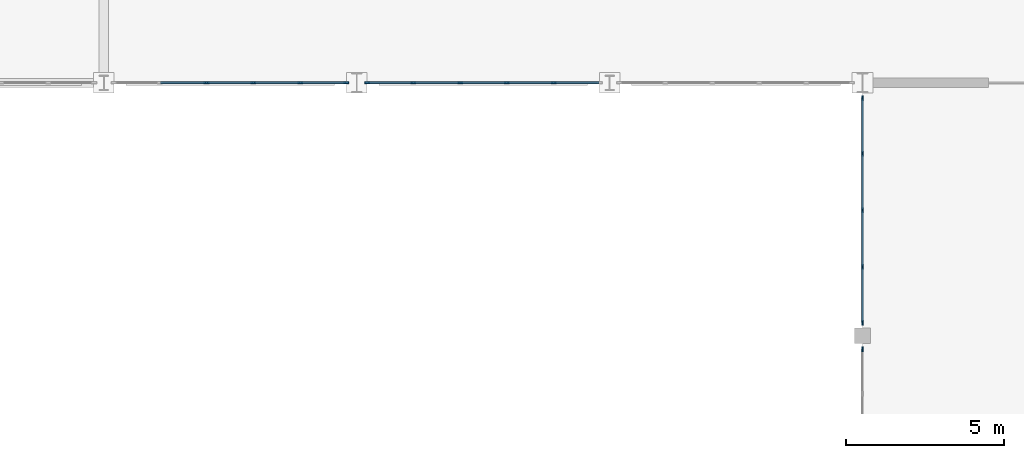
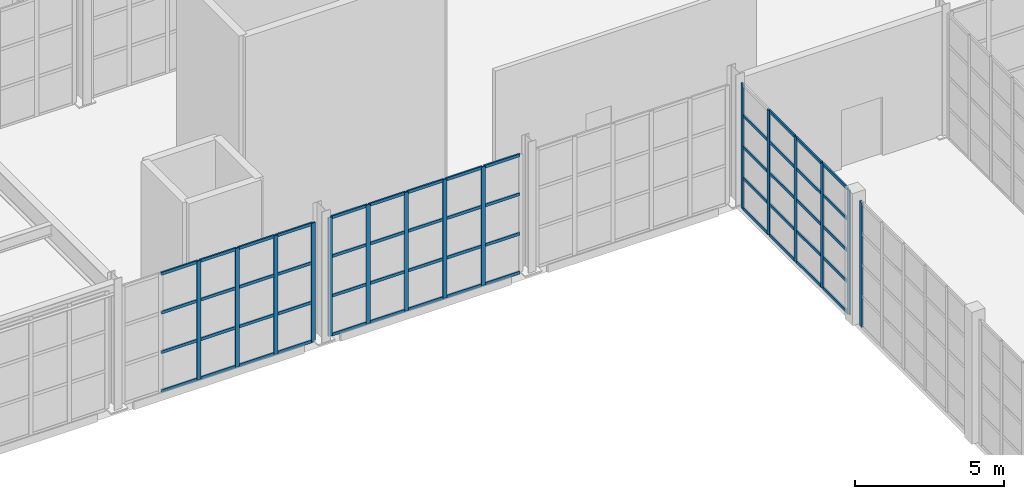
# One storey, part 26 of 82: 70 members, 4 elements without a shape of their own.
"""IFC4 building model written with IfcOpenShell, lengths in metres."""

from ifc_helpers import new_model, si_unit, direction, frame, origin, origin_2d, place, context, subcontext, project, spatial, rectangle, extrude, material, material_profile, profile_set, type_object, element, aggregate, save


model = new_model("IFC4")

# Units and contexts
model_context = context("Model", 3, precision=1e-05, world=origin(), true_north=direction((0.0, 1.0)))
body_context = subcontext(model_context, "Body", "Model", "MODEL_VIEW")
ifc_project = project(units=[si_unit("LENGTHUNIT", "METRE"), si_unit("AREAUNIT", "SQUARE_METRE"), si_unit("VOLUMEUNIT", "CUBIC_METRE"), si_unit("PLANEANGLEUNIT", "RADIAN"), si_unit("MASSUNIT", "GRAM", prefix="KILO")], contexts=[model_context])

# Site, building, storey
site_placement = place(None, origin())
site = spatial("IfcSite", under=ifc_project, at=site_placement, CompositionType="ELEMENT")
building_placement = place(site_placement, origin())
building = spatial("IfcBuilding", under=site, at=building_placement, Name="Serraluz Foothill Cableway Terminal", CompositionType="ELEMENT")
storey_placement = place(building_placement, frame((0.0, 0.0, 9.60009765625)))
storey = spatial("IfcBuildingStorey", under=building, at=storey_placement, Name="L02", CompositionType="ELEMENT", Elevation=9.60009765625)

# Curtain wall, members
ifc_material = material(Name="Architectural bronze alloy C28000", Category="aluminium")
curtain_wall_type_1 = type_object("IfcCurtainWallType", Name="TYP-CW-680X420", PredefinedType="NOTDEFINED", material=ifc_material)
curtain_wall_1_placement = place(storey_placement, origin())
curtain_wall_1 = element("IfcCurtainWall", 1, at=curtain_wall_1_placement, inside=storey, type_object=curtain_wall_type_1, Name="Ribbed Glazed Curtain Wall CW-V1S-L02-96", PredefinedType="NOTDEFINED")
ifc_material_profile_1 = material_profile(ifc_material, rectangle(XDim=0.06005859375, YDim=0.159912109375, at=origin_2d()), Name="ALU MULLION 60x160")
ifc_profile_set_1 = profile_set([ifc_material_profile_1], Name="Architectural bronze alloy C28000")
member_type_1 = type_object("IfcMemberType", Name="TYP-CW-MUL-60X160", PredefinedType="MULLION", material=ifc_profile_set_1)
member_1_placement = place(storey_placement, frame((103.66748046875, 56.0, 0.0), z_axis=(0.0, 0.0, 1.0), x_axis=(0.0, -1.0, 0.0)))
member_1 = element("IfcMember", 2, at=member_1_placement, type_object=member_type_1, Name="CW-13 mullion 1", PredefinedType="MULLION", context=body_context, shape_type="SweptSolid", body=[
    extrude(rectangle(XDim=0.06005859375, YDim=0.159912109375, at=origin_2d()), origin(), (0.0, 0.0, 1.0), 4.849853515625),
])
member_2_placement = place(storey_placement, frame((102.21435546875, 56.0, 0.0), z_axis=(0.0, 0.0, 1.0), x_axis=(0.0, -1.0, 0.0)))
member_2 = element("IfcMember", 3, at=member_2_placement, type_object=member_type_1, Name="CW-13 mullion 2", PredefinedType="MULLION", context=body_context, shape_type="SweptSolid", body=[
    extrude(rectangle(XDim=0.06005859375, YDim=0.159912109375, at=origin_2d()), origin(), (0.0, 0.0, 1.0), 4.849853515625),
])
member_3_placement = place(storey_placement, frame((100.731201171875, 56.0, 0.0), z_axis=(0.0, 0.0, 1.0), x_axis=(0.0, -1.0, 0.0)))
member_3 = element("IfcMember", 4, at=member_3_placement, type_object=member_type_1, Name="CW-13 mullion 3", PredefinedType="MULLION", context=body_context, shape_type="SweptSolid", body=[
    extrude(rectangle(XDim=0.06005859375, YDim=0.159912109375, at=origin_2d()), origin(), (0.0, 0.0, 1.0), 4.849853515625),
])
member_4_placement = place(storey_placement, frame((99.247802734375, 56.0, 0.0), z_axis=(0.0, 0.0, 1.0), x_axis=(0.0, -1.0, 0.0)))
member_4 = element("IfcMember", 5, at=member_4_placement, type_object=member_type_1, Name="CW-13 mullion 4", PredefinedType="MULLION", context=body_context, shape_type="SweptSolid", body=[
    extrude(rectangle(XDim=0.06005859375, YDim=0.159912109375, at=origin_2d()), origin(), (0.0, 0.0, 1.0), 4.849853515625),
])

curtain_wall_type_2 = type_object("IfcCurtainWallType", Name="TYP-CW-480X380", PredefinedType="NOTDEFINED", material=ifc_material)
curtain_wall_2_placement = place(storey_placement, origin())
curtain_wall_2 = element("IfcCurtainWall", 6, at=curtain_wall_2_placement, inside=storey, type_object=curtain_wall_type_2, Name="Ribbed Glazed Curtain Wall CW-V1S-L02-104", PredefinedType="NOTDEFINED")
member_5_placement = place(storey_placement, frame((110.2353515625, 56.0, 0.0), z_axis=(0.0, 0.0, 1.0), x_axis=(0.0, -1.0, 0.0)))
member_5 = element("IfcMember", 7, at=member_5_placement, type_object=member_type_1, Name="CW-14 mullion 2", PredefinedType="MULLION", context=body_context, shape_type="SweptSolid", body=[
    extrude(rectangle(XDim=0.06005859375, YDim=0.159912109375, at=origin_2d()), origin(), (0.0, 0.0, 1.0), 4.849853515625),
])
member_6_placement = place(storey_placement, frame((108.752197265625, 56.0, 0.0), z_axis=(0.0, 0.0, 1.0), x_axis=(0.0, -1.0, 0.0)))
member_6 = element("IfcMember", 8, at=member_6_placement, type_object=member_type_1, Name="CW-14 mullion 3", PredefinedType="MULLION", context=body_context, shape_type="SweptSolid", body=[
    extrude(rectangle(XDim=0.06005859375, YDim=0.159912109375, at=origin_2d()), origin(), (0.0, 0.0, 1.0), 4.849853515625),
])
member_7_placement = place(storey_placement, frame((107.268798828125, 56.0, 0.0), z_axis=(0.0, 0.0, 1.0), x_axis=(0.0, -1.0, 0.0)))
member_7 = element("IfcMember", 9, at=member_7_placement, type_object=member_type_1, Name="CW-14 mullion 4", PredefinedType="MULLION", context=body_context, shape_type="SweptSolid", body=[
    extrude(rectangle(XDim=0.06005859375, YDim=0.159912109375, at=origin_2d()), origin(), (0.0, 0.0, 1.0), 4.849853515625),
])
member_8_placement = place(storey_placement, frame((105.78564453125, 56.0, 0.0), z_axis=(0.0, 0.0, 1.0), x_axis=(0.0, -1.0, 0.0)))
member_8 = element("IfcMember", 10, at=member_8_placement, type_object=member_type_1, Name="CW-14 mullion 5", PredefinedType="MULLION", context=body_context, shape_type="SweptSolid", body=[
    extrude(rectangle(XDim=0.06005859375, YDim=0.159912109375, at=origin_2d()), origin(), (0.0, 0.0, 1.0), 4.849853515625),
])
member_9_placement = place(storey_placement, frame((104.33251953125, 56.0, 0.0), z_axis=(0.0, 0.0, 1.0), x_axis=(0.0, -1.0, 0.0)))
member_9 = element("IfcMember", 11, at=member_9_placement, type_object=member_type_1, Name="CW-14 mullion 6", PredefinedType="MULLION", context=body_context, shape_type="SweptSolid", body=[
    extrude(rectangle(XDim=0.06005859375, YDim=0.159912109375, at=origin_2d()), origin(), (0.0, 0.0, 1.0), 4.849853515625),
])

# Curtain wall, member
curtain_wall_type_3 = type_object("IfcCurtainWallType", Name="TYP-CW-710X420", PredefinedType="NOTDEFINED", material=ifc_material)
curtain_wall_3_placement = place(storey_placement, origin())
curtain_wall_3 = element("IfcCurtainWall", 12, at=curtain_wall_3_placement, inside=storey, type_object=curtain_wall_type_3, Name="Ribbed Glazed Curtain Wall CW-CLW-L02-40", PredefinedType="NOTDEFINED")
member_10_placement = place(storey_placement, frame((120.0, 47.580078125, 0.0), z_axis=(0.0, 0.0, 1.0), x_axis=(-1.0, 0.0, 0.0)))
member_10 = element("IfcMember", 13, at=member_10_placement, type_object=member_type_1, Name="CW-01 mullion 6", PredefinedType="MULLION", context=body_context, shape_type="SweptSolid", body=[
    extrude(rectangle(XDim=0.06005859375, YDim=0.159912109375, at=origin_2d()), origin(), (0.0, 0.0, 1.0), 5.099853515625),
])
aggregate(curtain_wall_3, [member_10])

# Curtain wall, members
curtain_wall_4_placement = place(storey_placement, origin())
curtain_wall_4 = element("IfcCurtainWall", 14, at=curtain_wall_4_placement, inside=storey, type_object=curtain_wall_type_3, Name="Ribbed Glazed Curtain Wall CW-CLW-L02-48", PredefinedType="NOTDEFINED")
member_11_placement = place(storey_placement, frame((120.0, 48.419921875, 0.0), z_axis=(0.0, 0.0, 1.0), x_axis=(-1.0, 0.0, 0.0)))
member_11 = element("IfcMember", 15, at=member_11_placement, type_object=member_type_1, Name="CW-01 mullion 1", PredefinedType="MULLION", context=body_context, shape_type="SweptSolid", body=[
    extrude(rectangle(XDim=0.06005859375, YDim=0.159912109375, at=origin_2d()), origin(), (0.0, 0.0, 1.0), 5.099853515625),
])
member_12_placement = place(storey_placement, frame((120.0, 50.180419921875, 0.0), z_axis=(0.0, 0.0, 1.0), x_axis=(-1.0, 0.0, 0.0)))
member_12 = element("IfcMember", 16, at=member_12_placement, type_object=member_type_1, Name="CW-01 mullion 2", PredefinedType="MULLION", context=body_context, shape_type="SweptSolid", body=[
    extrude(rectangle(XDim=0.06005859375, YDim=0.159912109375, at=origin_2d()), origin(), (0.0, 0.0, 1.0), 5.099853515625),
])
member_13_placement = place(storey_placement, frame((120.0, 51.970947265625, 0.0), z_axis=(0.0, 0.0, 1.0), x_axis=(-1.0, 0.0, 0.0)))
member_13 = element("IfcMember", 17, at=member_13_placement, type_object=member_type_1, Name="CW-01 mullion 3", PredefinedType="MULLION", context=body_context, shape_type="SweptSolid", body=[
    extrude(rectangle(XDim=0.06005859375, YDim=0.159912109375, at=origin_2d()), origin(), (0.0, 0.0, 1.0), 5.099853515625),
])
member_14_placement = place(storey_placement, frame((120.0, 53.761474609375, 0.0), z_axis=(0.0, 0.0, 1.0), x_axis=(-1.0, 0.0, 0.0)))
member_14 = element("IfcMember", 18, at=member_14_placement, type_object=member_type_1, Name="CW-01 mullion 4", PredefinedType="MULLION", context=body_context, shape_type="SweptSolid", body=[
    extrude(rectangle(XDim=0.06005859375, YDim=0.159912109375, at=origin_2d()), origin(), (0.0, 0.0, 1.0), 5.099853515625),
])
member_15_placement = place(storey_placement, frame((120.0, 55.52197265625, 0.0), z_axis=(0.0, 0.0, 1.0), x_axis=(-1.0, 0.0, 0.0)))
member_15 = element("IfcMember", 19, at=member_15_placement, type_object=member_type_1, Name="CW-01 mullion 5", PredefinedType="MULLION", context=body_context, shape_type="SweptSolid", body=[
    extrude(rectangle(XDim=0.06005859375, YDim=0.159912109375, at=origin_2d()), origin(), (0.0, 0.0, 1.0), 5.099853515625),
])

# Member
ifc_material_profile_2 = material_profile(ifc_material, rectangle(XDim=0.06005859375, YDim=0.1201171875, at=origin_2d()), Name="ALU TRANSOM 60x120")
ifc_profile_set_2 = profile_set([ifc_material_profile_2], Name="Architectural bronze alloy C28000")
member_type_2 = type_object("IfcMemberType", Name="TYP-CW-TRN-60X120", PredefinedType="USERDEFINED", material=ifc_profile_set_2)
member_16_placement = place(storey_placement, frame((103.637451171875, 56.0, 0.02978515625), z_axis=(-1.0, 0.0, 0.0), x_axis=(0.0, -1.0, 0.0)))
member_16 = element("IfcMember", 20, at=member_16_placement, type_object=member_type_2, Name="CW-13 transom 1.1", ObjectType="TRANSOM", PredefinedType="USERDEFINED", context=body_context, shape_type="SweptSolid", body=[
    extrude(rectangle(XDim=0.06005859375, YDim=0.1201171875, at=origin_2d()), origin(), (0.0, 0.0, 1.0), 1.39306640625),
])

member_17_placement = place(storey_placement, frame((103.637451171875, 56.0, 1.61669921875), z_axis=(-1.0, 0.0, 0.0), x_axis=(0.0, -1.0, 0.0)))
member_17 = element("IfcMember", 21, at=member_17_placement, type_object=member_type_2, Name="CW-13 transom 1.2", ObjectType="TRANSOM", PredefinedType="USERDEFINED", context=body_context, shape_type="SweptSolid", body=[
    extrude(rectangle(XDim=0.06005859375, YDim=0.1201171875, at=origin_2d()), origin(), (0.0, 0.0, 1.0), 1.39306640625),
])

member_18_placement = place(storey_placement, frame((103.637451171875, 56.0, 3.233154296875), z_axis=(-1.0, 0.0, 0.0), x_axis=(0.0, -1.0, 0.0)))
member_18 = element("IfcMember", 22, at=member_18_placement, type_object=member_type_2, Name="CW-13 transom 1.3", ObjectType="TRANSOM", PredefinedType="USERDEFINED", context=body_context, shape_type="SweptSolid", body=[
    extrude(rectangle(XDim=0.06005859375, YDim=0.1201171875, at=origin_2d()), origin(), (0.0, 0.0, 1.0), 1.39306640625),
])

member_19_placement = place(storey_placement, frame((103.637451171875, 56.0, 4.81982421875), z_axis=(-1.0, 0.0, 0.0), x_axis=(0.0, -1.0, 0.0)))
member_19 = element("IfcMember", 23, at=member_19_placement, type_object=member_type_2, Name="CW-13 transom 1.4", ObjectType="TRANSOM", PredefinedType="USERDEFINED", context=body_context, shape_type="SweptSolid", body=[
    extrude(rectangle(XDim=0.06005859375, YDim=0.1201171875, at=origin_2d()), origin(), (0.0, 0.0, 1.0), 1.39306640625),
])

member_20_placement = place(storey_placement, frame((102.184326171875, 56.0, 0.02978515625), z_axis=(-1.0, 0.0, 0.0), x_axis=(0.0, -1.0, 0.0)))
member_20 = element("IfcMember", 24, at=member_20_placement, type_object=member_type_2, Name="CW-13 transom 2.1", ObjectType="TRANSOM", PredefinedType="USERDEFINED", context=body_context, shape_type="SweptSolid", body=[
    extrude(rectangle(XDim=0.06005859375, YDim=0.1201171875, at=origin_2d()), origin(), (0.0, 0.0, 1.0), 1.42333984375),
])

member_21_placement = place(storey_placement, frame((102.184326171875, 56.0, 1.61669921875), z_axis=(-1.0, 0.0, 0.0), x_axis=(0.0, -1.0, 0.0)))
member_21 = element("IfcMember", 25, at=member_21_placement, type_object=member_type_2, Name="CW-13 transom 2.2", ObjectType="TRANSOM", PredefinedType="USERDEFINED", context=body_context, shape_type="SweptSolid", body=[
    extrude(rectangle(XDim=0.06005859375, YDim=0.1201171875, at=origin_2d()), origin(), (0.0, 0.0, 1.0), 1.42333984375),
])

member_22_placement = place(storey_placement, frame((102.184326171875, 56.0, 3.233154296875), z_axis=(-1.0, 0.0, 0.0), x_axis=(0.0, -1.0, 0.0)))
member_22 = element("IfcMember", 26, at=member_22_placement, type_object=member_type_2, Name="CW-13 transom 2.3", ObjectType="TRANSOM", PredefinedType="USERDEFINED", context=body_context, shape_type="SweptSolid", body=[
    extrude(rectangle(XDim=0.06005859375, YDim=0.1201171875, at=origin_2d()), origin(), (0.0, 0.0, 1.0), 1.42333984375),
])

member_23_placement = place(storey_placement, frame((102.184326171875, 56.0, 4.81982421875), z_axis=(-1.0, 0.0, 0.0), x_axis=(0.0, -1.0, 0.0)))
member_23 = element("IfcMember", 27, at=member_23_placement, type_object=member_type_2, Name="CW-13 transom 2.4", ObjectType="TRANSOM", PredefinedType="USERDEFINED", context=body_context, shape_type="SweptSolid", body=[
    extrude(rectangle(XDim=0.06005859375, YDim=0.1201171875, at=origin_2d()), origin(), (0.0, 0.0, 1.0), 1.42333984375),
])

member_24_placement = place(storey_placement, frame((100.701171875, 56.0, 0.02978515625), z_axis=(-1.0, 0.0, 0.0), x_axis=(0.0, -1.0, 0.0)))
member_24 = element("IfcMember", 28, at=member_24_placement, type_object=member_type_2, Name="CW-13 transom 3.1", ObjectType="TRANSOM", PredefinedType="USERDEFINED", context=body_context, shape_type="SweptSolid", body=[
    extrude(rectangle(XDim=0.06005859375, YDim=0.1201171875, at=origin_2d()), origin(), (0.0, 0.0, 1.0), 1.42333984375),
])

member_25_placement = place(storey_placement, frame((100.701171875, 56.0, 1.61669921875), z_axis=(-1.0, 0.0, 0.0), x_axis=(0.0, -1.0, 0.0)))
member_25 = element("IfcMember", 29, at=member_25_placement, type_object=member_type_2, Name="CW-13 transom 3.2", ObjectType="TRANSOM", PredefinedType="USERDEFINED", context=body_context, shape_type="SweptSolid", body=[
    extrude(rectangle(XDim=0.06005859375, YDim=0.1201171875, at=origin_2d()), origin(), (0.0, 0.0, 1.0), 1.42333984375),
])

member_26_placement = place(storey_placement, frame((100.701171875, 56.0, 3.233154296875), z_axis=(-1.0, 0.0, 0.0), x_axis=(0.0, -1.0, 0.0)))
member_26 = element("IfcMember", 30, at=member_26_placement, type_object=member_type_2, Name="CW-13 transom 3.3", ObjectType="TRANSOM", PredefinedType="USERDEFINED", context=body_context, shape_type="SweptSolid", body=[
    extrude(rectangle(XDim=0.06005859375, YDim=0.1201171875, at=origin_2d()), origin(), (0.0, 0.0, 1.0), 1.42333984375),
])

member_27_placement = place(storey_placement, frame((100.701171875, 56.0, 4.81982421875), z_axis=(-1.0, 0.0, 0.0), x_axis=(0.0, -1.0, 0.0)))
member_27 = element("IfcMember", 31, at=member_27_placement, type_object=member_type_2, Name="CW-13 transom 3.4", ObjectType="TRANSOM", PredefinedType="USERDEFINED", context=body_context, shape_type="SweptSolid", body=[
    extrude(rectangle(XDim=0.06005859375, YDim=0.1201171875, at=origin_2d()), origin(), (0.0, 0.0, 1.0), 1.42333984375),
])

member_28_placement = place(storey_placement, frame((99.218017578125, 56.0, 0.02978515625), z_axis=(-1.0, 0.0, 0.0), x_axis=(0.0, -1.0, 0.0)))
member_28 = element("IfcMember", 32, at=member_28_placement, type_object=member_type_2, Name="CW-13 transom 4.1", ObjectType="TRANSOM", PredefinedType="USERDEFINED", context=body_context, shape_type="SweptSolid", body=[
    extrude(rectangle(XDim=0.06005859375, YDim=0.1201171875, at=origin_2d()), origin(), (0.0, 0.0, 1.0), 1.42333984375),
])

member_29_placement = place(storey_placement, frame((99.218017578125, 56.0, 1.61669921875), z_axis=(-1.0, 0.0, 0.0), x_axis=(0.0, -1.0, 0.0)))
member_29 = element("IfcMember", 33, at=member_29_placement, type_object=member_type_2, Name="CW-13 transom 4.2", ObjectType="TRANSOM", PredefinedType="USERDEFINED", context=body_context, shape_type="SweptSolid", body=[
    extrude(rectangle(XDim=0.06005859375, YDim=0.1201171875, at=origin_2d()), origin(), (0.0, 0.0, 1.0), 1.42333984375),
])

member_30_placement = place(storey_placement, frame((99.218017578125, 56.0, 3.233154296875), z_axis=(-1.0, 0.0, 0.0), x_axis=(0.0, -1.0, 0.0)))
member_30 = element("IfcMember", 34, at=member_30_placement, type_object=member_type_2, Name="CW-13 transom 4.3", ObjectType="TRANSOM", PredefinedType="USERDEFINED", context=body_context, shape_type="SweptSolid", body=[
    extrude(rectangle(XDim=0.06005859375, YDim=0.1201171875, at=origin_2d()), origin(), (0.0, 0.0, 1.0), 1.42333984375),
])

member_31_placement = place(storey_placement, frame((99.218017578125, 56.0, 4.81982421875), z_axis=(-1.0, 0.0, 0.0), x_axis=(0.0, -1.0, 0.0)))
member_31 = element("IfcMember", 35, at=member_31_placement, type_object=member_type_2, Name="CW-13 transom 4.4", ObjectType="TRANSOM", PredefinedType="USERDEFINED", context=body_context, shape_type="SweptSolid", body=[
    extrude(rectangle(XDim=0.06005859375, YDim=0.1201171875, at=origin_2d()), origin(), (0.0, 0.0, 1.0), 1.42333984375),
])

aggregate(curtain_wall_1, [member_1, member_2, member_3, member_4, member_16, member_17, member_18, member_19, member_20, member_21, member_22, member_23, member_24, member_25, member_26, member_27, member_28, member_29, member_30, member_31])

member_32_placement = place(storey_placement, frame((111.658447265625, 56.0, 0.02978515625), z_axis=(-1.0, 0.0, 0.0), x_axis=(0.0, -1.0, 0.0)))
member_32 = element("IfcMember", 36, at=member_32_placement, type_object=member_type_2, Name="CW-14 transom 1.1", ObjectType="TRANSOM", PredefinedType="USERDEFINED", context=body_context, shape_type="SweptSolid", body=[
    extrude(rectangle(XDim=0.06005859375, YDim=0.1201171875, at=origin_2d()), origin(), (0.0, 0.0, 1.0), 1.39306640625),
])

member_33_placement = place(storey_placement, frame((111.658447265625, 56.0, 1.61669921875), z_axis=(-1.0, 0.0, 0.0), x_axis=(0.0, -1.0, 0.0)))
member_33 = element("IfcMember", 37, at=member_33_placement, type_object=member_type_2, Name="CW-14 transom 1.2", ObjectType="TRANSOM", PredefinedType="USERDEFINED", context=body_context, shape_type="SweptSolid", body=[
    extrude(rectangle(XDim=0.06005859375, YDim=0.1201171875, at=origin_2d()), origin(), (0.0, 0.0, 1.0), 1.39306640625),
])

member_34_placement = place(storey_placement, frame((111.658447265625, 56.0, 3.233154296875), z_axis=(-1.0, 0.0, 0.0), x_axis=(0.0, -1.0, 0.0)))
member_34 = element("IfcMember", 38, at=member_34_placement, type_object=member_type_2, Name="CW-14 transom 1.3", ObjectType="TRANSOM", PredefinedType="USERDEFINED", context=body_context, shape_type="SweptSolid", body=[
    extrude(rectangle(XDim=0.06005859375, YDim=0.1201171875, at=origin_2d()), origin(), (0.0, 0.0, 1.0), 1.39306640625),
])

member_35_placement = place(storey_placement, frame((111.658447265625, 56.0, 4.81982421875), z_axis=(-1.0, 0.0, 0.0), x_axis=(0.0, -1.0, 0.0)))
member_35 = element("IfcMember", 39, at=member_35_placement, type_object=member_type_2, Name="CW-14 transom 1.4", ObjectType="TRANSOM", PredefinedType="USERDEFINED", context=body_context, shape_type="SweptSolid", body=[
    extrude(rectangle(XDim=0.06005859375, YDim=0.1201171875, at=origin_2d()), origin(), (0.0, 0.0, 1.0), 1.39306640625),
])

member_36_placement = place(storey_placement, frame((110.205322265625, 56.0, 0.02978515625), z_axis=(-1.0, 0.0, 0.0), x_axis=(0.0, -1.0, 0.0)))
member_36 = element("IfcMember", 40, at=member_36_placement, type_object=member_type_2, Name="CW-14 transom 2.1", ObjectType="TRANSOM", PredefinedType="USERDEFINED", context=body_context, shape_type="SweptSolid", body=[
    extrude(rectangle(XDim=0.06005859375, YDim=0.1201171875, at=origin_2d()), origin(), (0.0, 0.0, 1.0), 1.42333984375),
])

member_37_placement = place(storey_placement, frame((110.205322265625, 56.0, 1.61669921875), z_axis=(-1.0, 0.0, 0.0), x_axis=(0.0, -1.0, 0.0)))
member_37 = element("IfcMember", 41, at=member_37_placement, type_object=member_type_2, Name="CW-14 transom 2.2", ObjectType="TRANSOM", PredefinedType="USERDEFINED", context=body_context, shape_type="SweptSolid", body=[
    extrude(rectangle(XDim=0.06005859375, YDim=0.1201171875, at=origin_2d()), origin(), (0.0, 0.0, 1.0), 1.42333984375),
])

member_38_placement = place(storey_placement, frame((110.205322265625, 56.0, 3.233154296875), z_axis=(-1.0, 0.0, 0.0), x_axis=(0.0, -1.0, 0.0)))
member_38 = element("IfcMember", 42, at=member_38_placement, type_object=member_type_2, Name="CW-14 transom 2.3", ObjectType="TRANSOM", PredefinedType="USERDEFINED", context=body_context, shape_type="SweptSolid", body=[
    extrude(rectangle(XDim=0.06005859375, YDim=0.1201171875, at=origin_2d()), origin(), (0.0, 0.0, 1.0), 1.42333984375),
])

member_39_placement = place(storey_placement, frame((110.205322265625, 56.0, 4.81982421875), z_axis=(-1.0, 0.0, 0.0), x_axis=(0.0, -1.0, 0.0)))
member_39 = element("IfcMember", 43, at=member_39_placement, type_object=member_type_2, Name="CW-14 transom 2.4", ObjectType="TRANSOM", PredefinedType="USERDEFINED", context=body_context, shape_type="SweptSolid", body=[
    extrude(rectangle(XDim=0.06005859375, YDim=0.1201171875, at=origin_2d()), origin(), (0.0, 0.0, 1.0), 1.42333984375),
])

member_40_placement = place(storey_placement, frame((108.72216796875, 56.0, 0.02978515625), z_axis=(-1.0, 0.0, 0.0), x_axis=(0.0, -1.0, 0.0)))
member_40 = element("IfcMember", 44, at=member_40_placement, type_object=member_type_2, Name="CW-14 transom 3.1", ObjectType="TRANSOM", PredefinedType="USERDEFINED", context=body_context, shape_type="SweptSolid", body=[
    extrude(rectangle(XDim=0.06005859375, YDim=0.1201171875, at=origin_2d()), origin(), (0.0, 0.0, 1.0), 1.42333984375),
])

member_41_placement = place(storey_placement, frame((108.72216796875, 56.0, 1.61669921875), z_axis=(-1.0, 0.0, 0.0), x_axis=(0.0, -1.0, 0.0)))
member_41 = element("IfcMember", 45, at=member_41_placement, type_object=member_type_2, Name="CW-14 transom 3.2", ObjectType="TRANSOM", PredefinedType="USERDEFINED", context=body_context, shape_type="SweptSolid", body=[
    extrude(rectangle(XDim=0.06005859375, YDim=0.1201171875, at=origin_2d()), origin(), (0.0, 0.0, 1.0), 1.42333984375),
])

member_42_placement = place(storey_placement, frame((108.72216796875, 56.0, 3.233154296875), z_axis=(-1.0, 0.0, 0.0), x_axis=(0.0, -1.0, 0.0)))
member_42 = element("IfcMember", 46, at=member_42_placement, type_object=member_type_2, Name="CW-14 transom 3.3", ObjectType="TRANSOM", PredefinedType="USERDEFINED", context=body_context, shape_type="SweptSolid", body=[
    extrude(rectangle(XDim=0.06005859375, YDim=0.1201171875, at=origin_2d()), origin(), (0.0, 0.0, 1.0), 1.42333984375),
])

member_43_placement = place(storey_placement, frame((108.72216796875, 56.0, 4.81982421875), z_axis=(-1.0, 0.0, 0.0), x_axis=(0.0, -1.0, 0.0)))
member_43 = element("IfcMember", 47, at=member_43_placement, type_object=member_type_2, Name="CW-14 transom 3.4", ObjectType="TRANSOM", PredefinedType="USERDEFINED", context=body_context, shape_type="SweptSolid", body=[
    extrude(rectangle(XDim=0.06005859375, YDim=0.1201171875, at=origin_2d()), origin(), (0.0, 0.0, 1.0), 1.42333984375),
])

member_44_placement = place(storey_placement, frame((107.239013671875, 56.0, 0.02978515625), z_axis=(-1.0, 0.0, 0.0), x_axis=(0.0, -1.0, 0.0)))
member_44 = element("IfcMember", 48, at=member_44_placement, type_object=member_type_2, Name="CW-14 transom 4.1", ObjectType="TRANSOM", PredefinedType="USERDEFINED", context=body_context, shape_type="SweptSolid", body=[
    extrude(rectangle(XDim=0.06005859375, YDim=0.1201171875, at=origin_2d()), origin(), (0.0, 0.0, 1.0), 1.42333984375),
])

member_45_placement = place(storey_placement, frame((107.239013671875, 56.0, 1.61669921875), z_axis=(-1.0, 0.0, 0.0), x_axis=(0.0, -1.0, 0.0)))
member_45 = element("IfcMember", 49, at=member_45_placement, type_object=member_type_2, Name="CW-14 transom 4.2", ObjectType="TRANSOM", PredefinedType="USERDEFINED", context=body_context, shape_type="SweptSolid", body=[
    extrude(rectangle(XDim=0.06005859375, YDim=0.1201171875, at=origin_2d()), origin(), (0.0, 0.0, 1.0), 1.42333984375),
])

member_46_placement = place(storey_placement, frame((107.239013671875, 56.0, 3.233154296875), z_axis=(-1.0, 0.0, 0.0), x_axis=(0.0, -1.0, 0.0)))
member_46 = element("IfcMember", 50, at=member_46_placement, type_object=member_type_2, Name="CW-14 transom 4.3", ObjectType="TRANSOM", PredefinedType="USERDEFINED", context=body_context, shape_type="SweptSolid", body=[
    extrude(rectangle(XDim=0.06005859375, YDim=0.1201171875, at=origin_2d()), origin(), (0.0, 0.0, 1.0), 1.42333984375),
])

member_47_placement = place(storey_placement, frame((107.239013671875, 56.0, 4.81982421875), z_axis=(-1.0, 0.0, 0.0), x_axis=(0.0, -1.0, 0.0)))
member_47 = element("IfcMember", 51, at=member_47_placement, type_object=member_type_2, Name="CW-14 transom 4.4", ObjectType="TRANSOM", PredefinedType="USERDEFINED", context=body_context, shape_type="SweptSolid", body=[
    extrude(rectangle(XDim=0.06005859375, YDim=0.1201171875, at=origin_2d()), origin(), (0.0, 0.0, 1.0), 1.42333984375),
])

member_48_placement = place(storey_placement, frame((105.755615234375, 56.0, 0.02978515625), z_axis=(-1.0, 0.0, 0.0), x_axis=(0.0, -1.0, 0.0)))
member_48 = element("IfcMember", 52, at=member_48_placement, type_object=member_type_2, Name="CW-14 transom 5.1", ObjectType="TRANSOM", PredefinedType="USERDEFINED", context=body_context, shape_type="SweptSolid", body=[
    extrude(rectangle(XDim=0.06005859375, YDim=0.1201171875, at=origin_2d()), origin(), (0.0, 0.0, 1.0), 1.39306640625),
])

member_49_placement = place(storey_placement, frame((105.755615234375, 56.0, 1.61669921875), z_axis=(-1.0, 0.0, 0.0), x_axis=(0.0, -1.0, 0.0)))
member_49 = element("IfcMember", 53, at=member_49_placement, type_object=member_type_2, Name="CW-14 transom 5.2", ObjectType="TRANSOM", PredefinedType="USERDEFINED", context=body_context, shape_type="SweptSolid", body=[
    extrude(rectangle(XDim=0.06005859375, YDim=0.1201171875, at=origin_2d()), origin(), (0.0, 0.0, 1.0), 1.39306640625),
])

member_50_placement = place(storey_placement, frame((105.755615234375, 56.0, 3.233154296875), z_axis=(-1.0, 0.0, 0.0), x_axis=(0.0, -1.0, 0.0)))
member_50 = element("IfcMember", 54, at=member_50_placement, type_object=member_type_2, Name="CW-14 transom 5.3", ObjectType="TRANSOM", PredefinedType="USERDEFINED", context=body_context, shape_type="SweptSolid", body=[
    extrude(rectangle(XDim=0.06005859375, YDim=0.1201171875, at=origin_2d()), origin(), (0.0, 0.0, 1.0), 1.39306640625),
])

member_51_placement = place(storey_placement, frame((105.755615234375, 56.0, 4.81982421875), z_axis=(-1.0, 0.0, 0.0), x_axis=(0.0, -1.0, 0.0)))
member_51 = element("IfcMember", 55, at=member_51_placement, type_object=member_type_2, Name="CW-14 transom 5.4", ObjectType="TRANSOM", PredefinedType="USERDEFINED", context=body_context, shape_type="SweptSolid", body=[
    extrude(rectangle(XDim=0.06005859375, YDim=0.1201171875, at=origin_2d()), origin(), (0.0, 0.0, 1.0), 1.39306640625),
])

aggregate(curtain_wall_2, [member_5, member_6, member_7, member_8, member_9, member_32, member_33, member_34, member_35, member_36, member_37, member_38, member_39, member_40, member_41, member_42, member_43, member_44, member_45, member_46, member_47, member_48, member_49, member_50, member_51])

member_52_placement = place(storey_placement, frame((120.0, 48.449951171875, 0.02978515625), z_axis=(0.0, 1.0, 0.0), x_axis=(-1.0, 0.0, 0.0)))
member_52 = element("IfcMember", 56, at=member_52_placement, type_object=member_type_2, Name="CW-01 transom 1.1", ObjectType="TRANSOM", PredefinedType="USERDEFINED", context=body_context, shape_type="SweptSolid", body=[
    extrude(rectangle(XDim=0.06005859375, YDim=0.1201171875, at=origin_2d()), origin(), (0.0, 0.0, 1.0), 1.700439453125),
])

member_53_placement = place(storey_placement, frame((120.0, 48.449951171875, 1.27490234375), z_axis=(0.0, 1.0, 0.0), x_axis=(-1.0, 0.0, 0.0)))
member_53 = element("IfcMember", 57, at=member_53_placement, type_object=member_type_2, Name="CW-01 transom 1.2", ObjectType="TRANSOM", PredefinedType="USERDEFINED", context=body_context, shape_type="SweptSolid", body=[
    extrude(rectangle(XDim=0.06005859375, YDim=0.1201171875, at=origin_2d()), origin(), (0.0, 0.0, 1.0), 1.700439453125),
])

member_54_placement = place(storey_placement, frame((120.0, 48.449951171875, 2.5498046875), z_axis=(0.0, 1.0, 0.0), x_axis=(-1.0, 0.0, 0.0)))
member_54 = element("IfcMember", 58, at=member_54_placement, type_object=member_type_2, Name="CW-01 transom 1.3", ObjectType="TRANSOM", PredefinedType="USERDEFINED", context=body_context, shape_type="SweptSolid", body=[
    extrude(rectangle(XDim=0.06005859375, YDim=0.1201171875, at=origin_2d()), origin(), (0.0, 0.0, 1.0), 1.700439453125),
])

member_55_placement = place(storey_placement, frame((120.0, 48.449951171875, 3.824951171875), z_axis=(0.0, 1.0, 0.0), x_axis=(-1.0, 0.0, 0.0)))
member_55 = element("IfcMember", 59, at=member_55_placement, type_object=member_type_2, Name="CW-01 transom 1.4", ObjectType="TRANSOM", PredefinedType="USERDEFINED", context=body_context, shape_type="SweptSolid", body=[
    extrude(rectangle(XDim=0.06005859375, YDim=0.1201171875, at=origin_2d()), origin(), (0.0, 0.0, 1.0), 1.700439453125),
])

member_56_placement = place(storey_placement, frame((120.0, 48.449951171875, 5.06982421875), z_axis=(0.0, 1.0, 0.0), x_axis=(-1.0, 0.0, 0.0)))
member_56 = element("IfcMember", 60, at=member_56_placement, type_object=member_type_2, Name="CW-01 transom 1.5", ObjectType="TRANSOM", PredefinedType="USERDEFINED", context=body_context, shape_type="SweptSolid", body=[
    extrude(rectangle(XDim=0.06005859375, YDim=0.1201171875, at=origin_2d()), origin(), (0.0, 0.0, 1.0), 1.700439453125),
])

member_57_placement = place(storey_placement, frame((120.0, 50.21044921875, 0.02978515625), z_axis=(0.0, 1.0, 0.0), x_axis=(-1.0, 0.0, 0.0)))
member_57 = element("IfcMember", 61, at=member_57_placement, type_object=member_type_2, Name="CW-01 transom 2.1", ObjectType="TRANSOM", PredefinedType="USERDEFINED", context=body_context, shape_type="SweptSolid", body=[
    extrude(rectangle(XDim=0.06005859375, YDim=0.1201171875, at=origin_2d()), origin(), (0.0, 0.0, 1.0), 1.73046875),
])

member_58_placement = place(storey_placement, frame((120.0, 50.21044921875, 1.27490234375), z_axis=(0.0, 1.0, 0.0), x_axis=(-1.0, 0.0, 0.0)))
member_58 = element("IfcMember", 62, at=member_58_placement, type_object=member_type_2, Name="CW-01 transom 2.2", ObjectType="TRANSOM", PredefinedType="USERDEFINED", context=body_context, shape_type="SweptSolid", body=[
    extrude(rectangle(XDim=0.06005859375, YDim=0.1201171875, at=origin_2d()), origin(), (0.0, 0.0, 1.0), 1.73046875),
])

member_59_placement = place(storey_placement, frame((120.0, 50.21044921875, 2.5498046875), z_axis=(0.0, 1.0, 0.0), x_axis=(-1.0, 0.0, 0.0)))
member_59 = element("IfcMember", 63, at=member_59_placement, type_object=member_type_2, Name="CW-01 transom 2.3", ObjectType="TRANSOM", PredefinedType="USERDEFINED", context=body_context, shape_type="SweptSolid", body=[
    extrude(rectangle(XDim=0.06005859375, YDim=0.1201171875, at=origin_2d()), origin(), (0.0, 0.0, 1.0), 1.73046875),
])

member_60_placement = place(storey_placement, frame((120.0, 50.21044921875, 3.824951171875), z_axis=(0.0, 1.0, 0.0), x_axis=(-1.0, 0.0, 0.0)))
member_60 = element("IfcMember", 64, at=member_60_placement, type_object=member_type_2, Name="CW-01 transom 2.4", ObjectType="TRANSOM", PredefinedType="USERDEFINED", context=body_context, shape_type="SweptSolid", body=[
    extrude(rectangle(XDim=0.06005859375, YDim=0.1201171875, at=origin_2d()), origin(), (0.0, 0.0, 1.0), 1.73046875),
])

member_61_placement = place(storey_placement, frame((120.0, 50.21044921875, 5.06982421875), z_axis=(0.0, 1.0, 0.0), x_axis=(-1.0, 0.0, 0.0)))
member_61 = element("IfcMember", 65, at=member_61_placement, type_object=member_type_2, Name="CW-01 transom 2.5", ObjectType="TRANSOM", PredefinedType="USERDEFINED", context=body_context, shape_type="SweptSolid", body=[
    extrude(rectangle(XDim=0.06005859375, YDim=0.1201171875, at=origin_2d()), origin(), (0.0, 0.0, 1.0), 1.73046875),
])

member_62_placement = place(storey_placement, frame((120.0, 52.0009765625, 0.02978515625), z_axis=(0.0, 1.0, 0.0), x_axis=(-1.0, 0.0, 0.0)))
member_62 = element("IfcMember", 66, at=member_62_placement, type_object=member_type_2, Name="CW-01 transom 3.1", ObjectType="TRANSOM", PredefinedType="USERDEFINED", context=body_context, shape_type="SweptSolid", body=[
    extrude(rectangle(XDim=0.06005859375, YDim=0.1201171875, at=origin_2d()), origin(), (0.0, 0.0, 1.0), 1.73046875),
])

member_63_placement = place(storey_placement, frame((120.0, 52.0009765625, 1.27490234375), z_axis=(0.0, 1.0, 0.0), x_axis=(-1.0, 0.0, 0.0)))
member_63 = element("IfcMember", 67, at=member_63_placement, type_object=member_type_2, Name="CW-01 transom 3.2", ObjectType="TRANSOM", PredefinedType="USERDEFINED", context=body_context, shape_type="SweptSolid", body=[
    extrude(rectangle(XDim=0.06005859375, YDim=0.1201171875, at=origin_2d()), origin(), (0.0, 0.0, 1.0), 1.73046875),
])

member_64_placement = place(storey_placement, frame((120.0, 52.0009765625, 2.5498046875), z_axis=(0.0, 1.0, 0.0), x_axis=(-1.0, 0.0, 0.0)))
member_64 = element("IfcMember", 68, at=member_64_placement, type_object=member_type_2, Name="CW-01 transom 3.3", ObjectType="TRANSOM", PredefinedType="USERDEFINED", context=body_context, shape_type="SweptSolid", body=[
    extrude(rectangle(XDim=0.06005859375, YDim=0.1201171875, at=origin_2d()), origin(), (0.0, 0.0, 1.0), 1.73046875),
])

member_65_placement = place(storey_placement, frame((120.0, 52.0009765625, 3.824951171875), z_axis=(0.0, 1.0, 0.0), x_axis=(-1.0, 0.0, 0.0)))
member_65 = element("IfcMember", 69, at=member_65_placement, type_object=member_type_2, Name="CW-01 transom 3.4", ObjectType="TRANSOM", PredefinedType="USERDEFINED", context=body_context, shape_type="SweptSolid", body=[
    extrude(rectangle(XDim=0.06005859375, YDim=0.1201171875, at=origin_2d()), origin(), (0.0, 0.0, 1.0), 1.73046875),
])

member_66_placement = place(storey_placement, frame((120.0, 52.0009765625, 5.06982421875), z_axis=(0.0, 1.0, 0.0), x_axis=(-1.0, 0.0, 0.0)))
member_66 = element("IfcMember", 70, at=member_66_placement, type_object=member_type_2, Name="CW-01 transom 3.5", ObjectType="TRANSOM", PredefinedType="USERDEFINED", context=body_context, shape_type="SweptSolid", body=[
    extrude(rectangle(XDim=0.06005859375, YDim=0.1201171875, at=origin_2d()), origin(), (0.0, 0.0, 1.0), 1.73046875),
])

member_67_placement = place(storey_placement, frame((120.0, 53.79150390625, 0.02978515625), z_axis=(0.0, 1.0, 0.0), x_axis=(-1.0, 0.0, 0.0)))
member_67 = element("IfcMember", 71, at=member_67_placement, type_object=member_type_2, Name="CW-01 transom 4.1", ObjectType="TRANSOM", PredefinedType="USERDEFINED", context=body_context, shape_type="SweptSolid", body=[
    extrude(rectangle(XDim=0.06005859375, YDim=0.1201171875, at=origin_2d()), origin(), (0.0, 0.0, 1.0), 1.700439453125),
])

member_68_placement = place(storey_placement, frame((120.0, 53.79150390625, 1.27490234375), z_axis=(0.0, 1.0, 0.0), x_axis=(-1.0, 0.0, 0.0)))
member_68 = element("IfcMember", 72, at=member_68_placement, type_object=member_type_2, Name="CW-01 transom 4.2", ObjectType="TRANSOM", PredefinedType="USERDEFINED", context=body_context, shape_type="SweptSolid", body=[
    extrude(rectangle(XDim=0.06005859375, YDim=0.1201171875, at=origin_2d()), origin(), (0.0, 0.0, 1.0), 1.700439453125),
])

member_69_placement = place(storey_placement, frame((120.0, 53.79150390625, 2.5498046875), z_axis=(0.0, 1.0, 0.0), x_axis=(-1.0, 0.0, 0.0)))
member_69 = element("IfcMember", 73, at=member_69_placement, type_object=member_type_2, Name="CW-01 transom 4.3", ObjectType="TRANSOM", PredefinedType="USERDEFINED", context=body_context, shape_type="SweptSolid", body=[
    extrude(rectangle(XDim=0.06005859375, YDim=0.1201171875, at=origin_2d()), origin(), (0.0, 0.0, 1.0), 1.700439453125),
])

member_70_placement = place(storey_placement, frame((120.0, 53.79150390625, 3.824951171875), z_axis=(0.0, 1.0, 0.0), x_axis=(-1.0, 0.0, 0.0)))
member_70 = element("IfcMember", 74, at=member_70_placement, type_object=member_type_2, Name="CW-01 transom 4.4", ObjectType="TRANSOM", PredefinedType="USERDEFINED", context=body_context, shape_type="SweptSolid", body=[
    extrude(rectangle(XDim=0.06005859375, YDim=0.1201171875, at=origin_2d()), origin(), (0.0, 0.0, 1.0), 1.700439453125),
])

aggregate(curtain_wall_4, [member_11, member_12, member_13, member_14, member_15, member_52, member_53, member_54, member_55, member_56, member_57, member_58, member_59, member_60, member_61, member_62, member_63, member_64, member_65, member_66, member_67, member_68, member_69, member_70])

save(model, "model.ifc")
